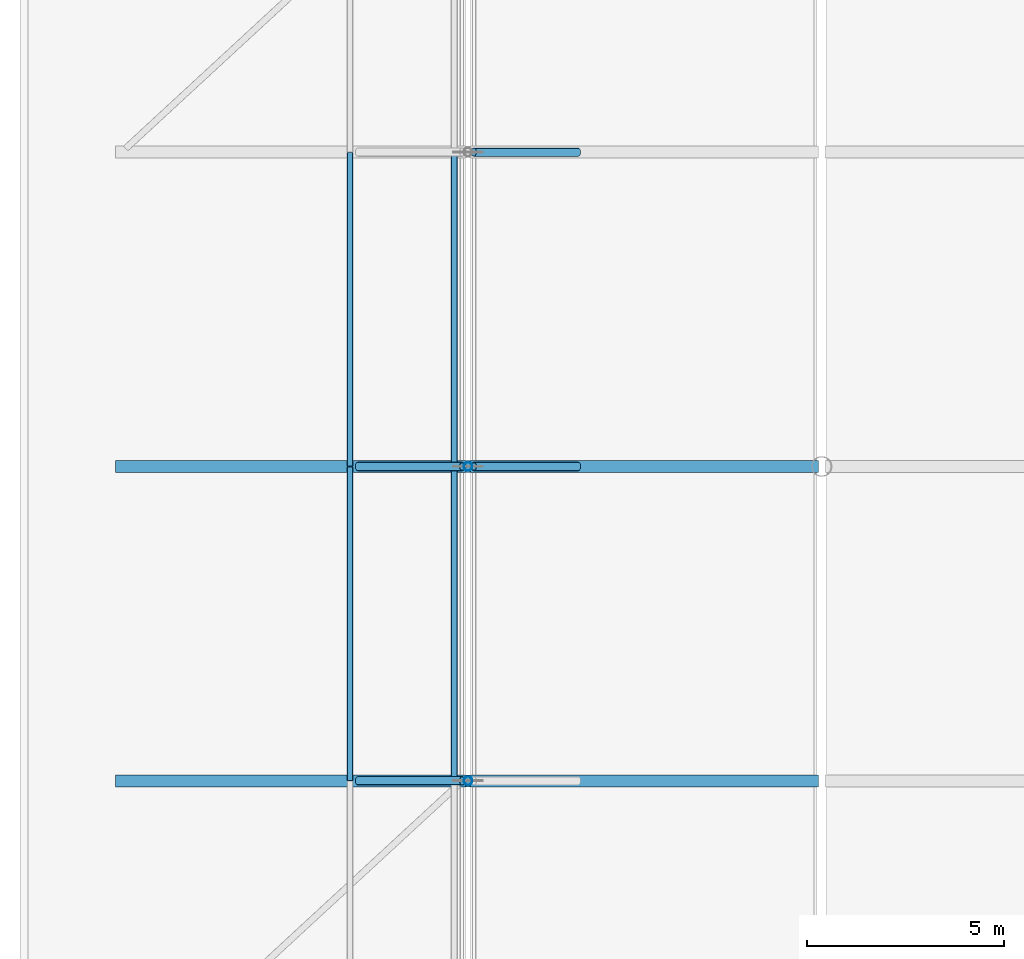
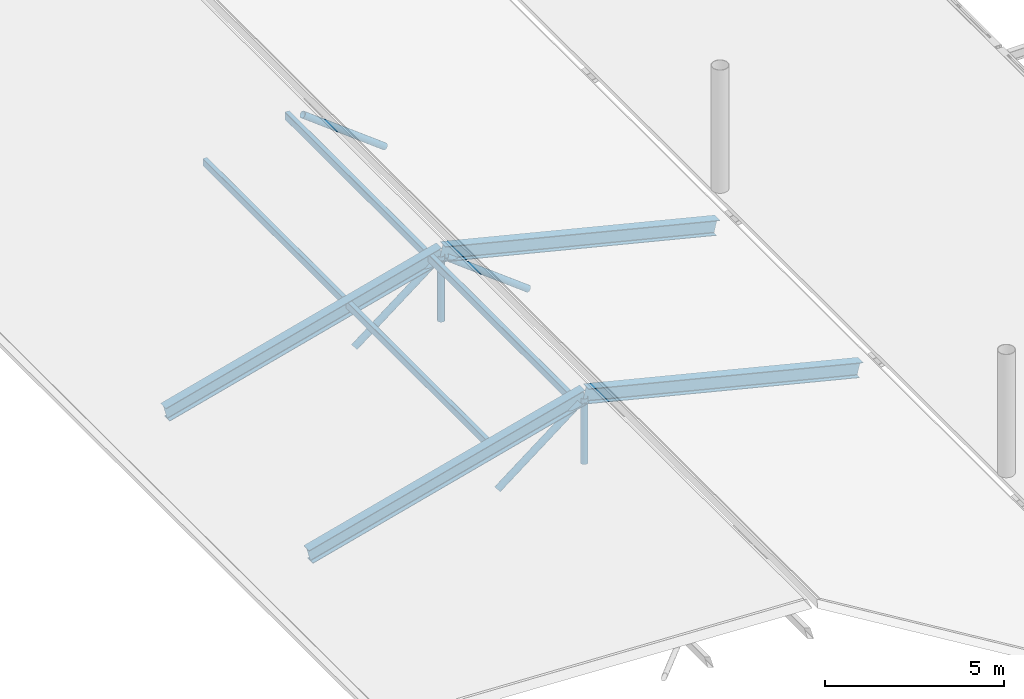
# One storey, part 40 of 128: 10 members, 4 beams.
"""IFC4 building model written with IfcOpenShell, lengths in metres."""

from ifc_helpers import new_model, si_unit, derived_unit, direction, frame, origin, origin_2d, place, context, subcontext, project, spatial, hollow_rectangle, hollow_circle, i_section, extrude, material, material_profile, profile_set, type_object, element, save


model = new_model("IFC4")

# Units and contexts
model_context = context("Model", 3, precision=1e-05, world=origin(), true_north=direction((0.0, 1.0)))
body_context = subcontext(model_context, "Body", "Model", "MODEL_VIEW")
ifc_project = project(units=[si_unit("LENGTHUNIT", "METRE"), si_unit("AREAUNIT", "SQUARE_METRE"), si_unit("VOLUMEUNIT", "CUBIC_METRE"), si_unit("PLANEANGLEUNIT", "RADIAN"), si_unit("MASSUNIT", "GRAM", prefix="KILO"), derived_unit("THERMALTRANSMITTANCEUNIT", [(si_unit("MASSUNIT", "GRAM", prefix="KILO"), 1), (si_unit("TIMEUNIT", "SECOND"), -3), (si_unit("THERMODYNAMICTEMPERATUREUNIT", "KELVIN"), -1)])], contexts=[model_context])

# Site, building, storey
site_placement = place(None, origin())
site = spatial("IfcSite", under=ifc_project, at=site_placement, CompositionType="ELEMENT")
building_placement = place(site_placement, origin())
building = spatial("IfcBuilding", under=site, at=building_placement, Name="Zhenchuan Archway Interchange", CompositionType="ELEMENT")
storey_placement = place(building_placement, frame((0.0, 0.0, 14.39990234375)))
storey = spatial("IfcBuildingStorey", under=building, at=storey_placement, Name="L03", CompositionType="ELEMENT", Elevation=14.39990234375)

# Beams
ifc_material_1 = material(Name="Steel Q390", Category="steel")
ifc_material_profile_1 = material_profile(ifc_material_1, i_section(OverallWidth=0.300048828125, OverallDepth=0.5, WebThickness=0.010986328125, FlangeThickness=0.01806640625, FilletRadius=0.02197265625, at=origin_2d()), Name="HM 500x300")
ifc_profile_set_1 = profile_set([ifc_material_profile_1], Name="Steel Q390")
beam_type = type_object("IfcBeamType", Name="BM_STL_HM500", PredefinedType="BEAM", material=ifc_profile_set_1)
beam_1_placement = place(storey_placement, frame((0.10009765625, 64.0, -1.3798828125), z_axis=(0.966597493946, 0.0, 0.256299209318), x_axis=(0.0, 1.0, 0.0)))
element("IfcBeam", 1, at=beam_1_placement, inside=storey, type_object=beam_type, Name="ROOF TRUSS bus canopy T6 top chord 1", PredefinedType="BEAM", context=body_context, shape_type="SweptSolid", body=[
    extrude(i_section(OverallWidth=0.300048828125, OverallDepth=0.5, WebThickness=0.010986328125, FlangeThickness=0.01806640625, FilletRadius=0.02197265625, at=origin_2d()), origin(), (0.0, 0.0, 1.0), 9.20751953125),
])
beam_2_placement = place(storey_placement, frame((9.0, 64.0, 0.97998046875), z_axis=(0.970529815041, 0.0, -0.240981074187), x_axis=(0.0, 1.0, 0.0)))
element("IfcBeam", 2, at=beam_2_placement, inside=storey, type_object=beam_type, Name="ROOF TRUSS bus canopy T6 top chord 2", PredefinedType="BEAM", context=body_context, shape_type="SweptSolid", body=[
    extrude(i_section(OverallWidth=0.300048828125, OverallDepth=0.5, WebThickness=0.010986328125, FlangeThickness=0.01806640625, FilletRadius=0.02197265625, at=origin_2d()), origin(), (0.0, 0.0, 1.0), 9.129150390625),
])
beam_3_placement = place(storey_placement, frame((0.10009765625, 72.0, -1.3798828125), z_axis=(0.966597493946, 0.0, 0.256299209318), x_axis=(0.0, 1.0, 0.0)))
element("IfcBeam", 3, at=beam_3_placement, inside=storey, type_object=beam_type, Name="ROOF TRUSS bus canopy T7 top chord 1", PredefinedType="BEAM", context=body_context, shape_type="SweptSolid", body=[
    extrude(i_section(OverallWidth=0.300048828125, OverallDepth=0.5, WebThickness=0.010986328125, FlangeThickness=0.01806640625, FilletRadius=0.02197265625, at=origin_2d()), origin(), (0.0, 0.0, 1.0), 9.20751953125),
])
beam_4_placement = place(storey_placement, frame((9.0, 72.0, 0.97998046875), z_axis=(0.970529815041, 0.0, -0.240981074187), x_axis=(0.0, 1.0, 0.0)))
element("IfcBeam", 4, at=beam_4_placement, inside=storey, type_object=beam_type, Name="ROOF TRUSS bus canopy T7 top chord 2", PredefinedType="BEAM", context=body_context, shape_type="SweptSolid", body=[
    extrude(i_section(OverallWidth=0.300048828125, OverallDepth=0.5, WebThickness=0.010986328125, FlangeThickness=0.01806640625, FilletRadius=0.02197265625, at=origin_2d()), origin(), (0.0, 0.0, 1.0), 9.129150390625),
])

# Members
ifc_material_2 = material(Name="Steel Q355", Category="steel")
ifc_material_profile_2 = material_profile(ifc_material_2, hollow_circle(Radius=0.109619140625, WallThickness=0.008056640625, at=origin_2d()), Name="CHS 219x8")
ifc_profile_set_2 = profile_set([ifc_material_profile_2], Name="Steel Q355")
member_type_1 = type_object("IfcMemberType", Name="MB_CHS219", PredefinedType="BRACE", material=ifc_profile_set_2)
member_1_placement = place(storey_placement, frame((9.0, 64.0, -1.349853515625), z_axis=(0.0, 0.0, 1.0), x_axis=(1.0, 0.0, 0.0)))
element("IfcMember", 5, at=member_1_placement, inside=storey, type_object=member_type_1, Name="ROOF TRUSS bus canopy T6 web V1", PredefinedType="BRACE", context=body_context, shape_type="SweptSolid", body=[
    extrude(hollow_circle(Radius=0.109619140625, WallThickness=0.008056640625, at=origin_2d()), origin(), (0.0, 0.0, 1.0), 2.22998046875),
])
member_2_placement = place(storey_placement, frame((6.199951171875, 64.0, -1.290771484375), z_axis=(0.790860205512, 0.0, 0.611996842588), x_axis=(0.0, 1.0, 0.0)))
element("IfcMember", 6, at=member_2_placement, inside=storey, type_object=member_type_1, Name="ROOF TRUSS bus canopy T6 web D1", PredefinedType="BRACE", context=body_context, shape_type="SweptSolid", body=[
    extrude(hollow_circle(Radius=0.109619140625, WallThickness=0.008056640625, at=origin_2d()), origin(), (0.0, 0.0, 1.0), 3.35107421875),
])
member_3_placement = place(storey_placement, frame((9.0, 72.0, -1.349853515625), z_axis=(0.0, 0.0, 1.0), x_axis=(1.0, 0.0, 0.0)))
element("IfcMember", 7, at=member_3_placement, inside=storey, type_object=member_type_1, Name="ROOF TRUSS bus canopy T7 web V1", PredefinedType="BRACE", context=body_context, shape_type="SweptSolid", body=[
    extrude(hollow_circle(Radius=0.109619140625, WallThickness=0.008056640625, at=origin_2d()), origin(), (0.0, 0.0, 1.0), 2.22998046875),
])
member_4_placement = place(storey_placement, frame((6.199951171875, 72.0, -1.290771484375), z_axis=(0.790860205512, 0.0, 0.611996842588), x_axis=(0.0, 1.0, 0.0)))
element("IfcMember", 8, at=member_4_placement, inside=storey, type_object=member_type_1, Name="ROOF TRUSS bus canopy T7 web D1", PredefinedType="BRACE", context=body_context, shape_type="SweptSolid", body=[
    extrude(hollow_circle(Radius=0.109619140625, WallThickness=0.008056640625, at=origin_2d()), origin(), (0.0, 0.0, 1.0), 3.35107421875),
])
for number, where, z_axis, x_axis, name in (
    (9, (11.800048828125, 72.0, -1.254638671875), (-0.796084461129, 0.0, 0.605185534154), (0.0, -1.0, 0.0), "ROOF TRUSS bus canopy T7 web D2"),
    (10, (11.800048828125, 80.0, -1.254638671875), (-0.796084461129, 0.0, 0.605185534154), (0.0, -1.0, 0.0), "ROOF TRUSS bus canopy T8 web D2"),
):
    element("IfcMember", number, at=place(storey_placement, frame(where, z_axis=z_axis, x_axis=x_axis)), inside=storey, type_object=member_type_1, Name=name, PredefinedType="BRACE", context=body_context, shape_type="SweptSolid", body=[
        extrude(hollow_circle(Radius=0.109619140625, WallThickness=0.008056640625, at=origin_2d()), origin(), (0.0, 0.0, 1.0), 3.328857421875),
    ])
ifc_material_profile_3 = material_profile(ifc_material_2, hollow_rectangle(XDim=0.14990234375, YDim=0.25, WallThickness=0.008056640625, InnerFilletRadius=0.008056640625, OuterFilletRadius=0.01611328125, at=origin_2d()), Name="RHS 250x150x8")
ifc_profile_set_3 = profile_set([ifc_material_profile_3], Name="Steel Q355")
member_type_2 = type_object("IfcMemberType", Name="MB_RHS250", PredefinedType="PURLIN", material=ifc_profile_set_3)
for number, where, z_axis, x_axis, name in (
    (11, (6.0, 64.008056640625, 0.260009765625), (0.0, 1.0, 0.0), (-1.0, 0.0, 0.0), "Bus canopy roof purlin B6-P2"),
    (12, (6.0, 72.008056640625, 0.260009765625), (0.0, 1.0, 0.0), (-1.0, 0.0, 0.0), "Bus canopy roof purlin B7-P2"),
):
    element("IfcMember", number, at=place(storey_placement, frame(where, z_axis=z_axis, x_axis=x_axis)), inside=storey, type_object=member_type_2, Name=name, PredefinedType="PURLIN", context=body_context, shape_type="SweptSolid", body=[
        extrude(hollow_rectangle(XDim=0.14990234375, YDim=0.25, WallThickness=0.008056640625, InnerFilletRadius=0.008056640625, OuterFilletRadius=0.01611328125, at=origin_2d()), origin(), (0.0, 0.0, 1.0), 7.98388671875),
    ])
ifc_material_profile_4 = material_profile(ifc_material_2, hollow_rectangle(XDim=0.159912109375, YDim=0.260009765625, WallThickness=0.010009765625, InnerFilletRadius=0.010009765625, OuterFilletRadius=0.02001953125, at=origin_2d()), Name="RHS 260x160x10")
ifc_profile_set_4 = profile_set([ifc_material_profile_4], Name="Steel Q355")
member_type_3 = type_object("IfcMemberType", Name="MB_RHS260", PredefinedType="PURLIN", material=ifc_profile_set_4)
for number, where, z_axis, x_axis, name in (
    (13, (8.64990234375, 64.008056640625, 0.920166015625), (0.0, 1.0, 0.0), (-1.0, 0.0, 0.0), "Bus canopy roof purlin B6-P3"),
    (14, (8.64990234375, 72.008056640625, 0.920166015625), (0.0, 1.0, 0.0), (-1.0, 0.0, 0.0), "Bus canopy roof purlin B7-P3"),
):
    element("IfcMember", number, at=place(storey_placement, frame(where, z_axis=z_axis, x_axis=x_axis)), inside=storey, type_object=member_type_3, Name=name, PredefinedType="PURLIN", context=body_context, shape_type="SweptSolid", body=[
        extrude(hollow_rectangle(XDim=0.159912109375, YDim=0.260009765625, WallThickness=0.010009765625, InnerFilletRadius=0.010009765625, OuterFilletRadius=0.02001953125, at=origin_2d()), origin(), (0.0, 0.0, 1.0), 7.98388671875),
    ])

save(model, "model.ifc")
